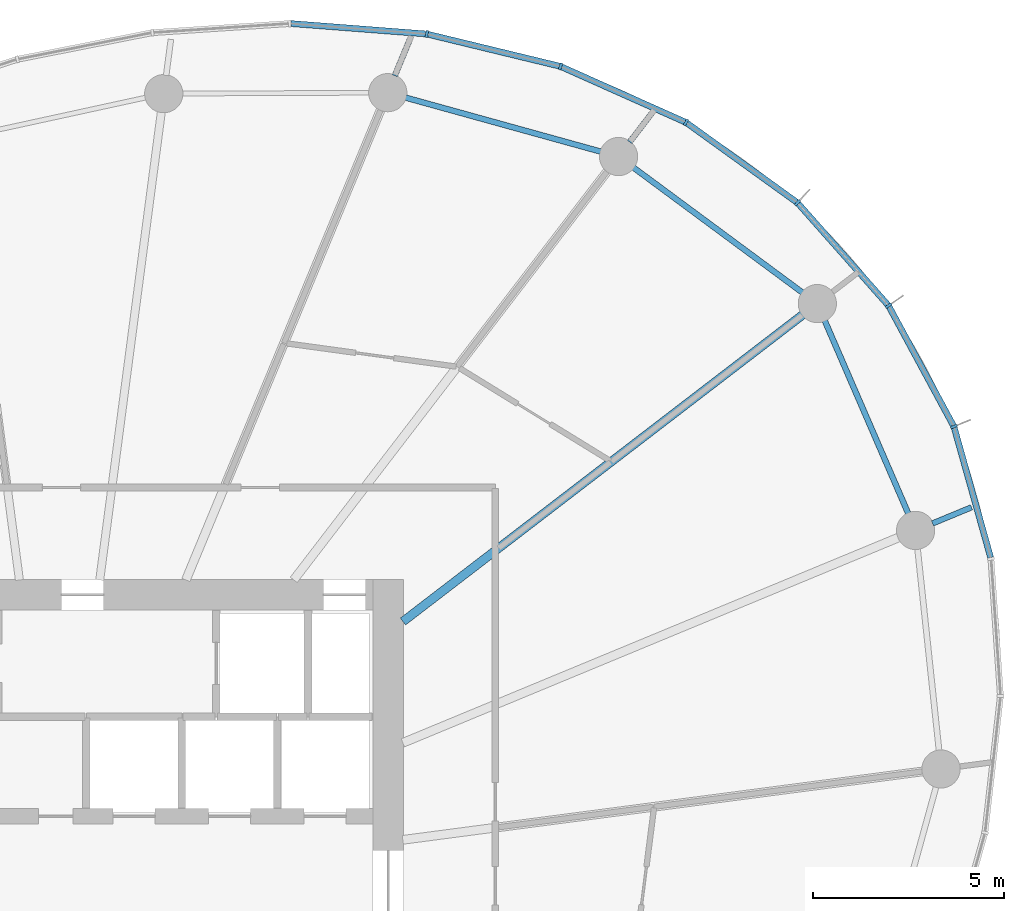
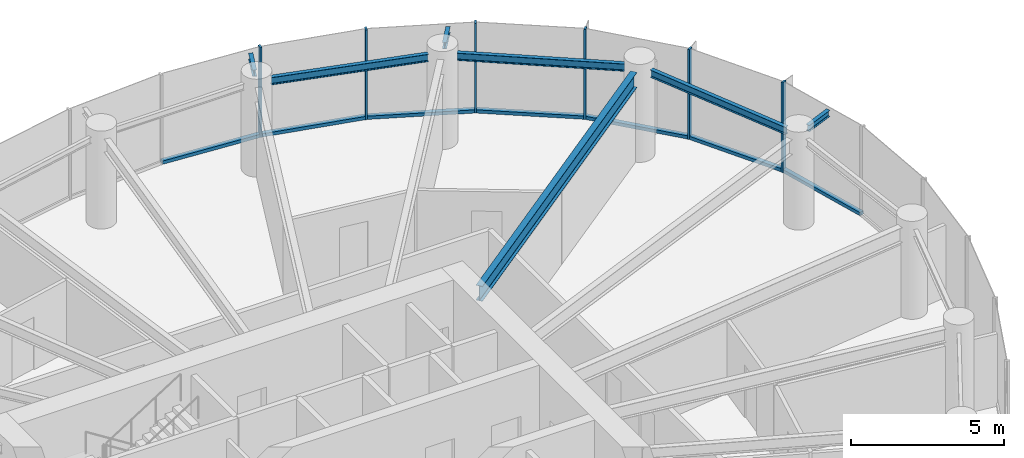
# One storey, part 6 of 15: 13 members, 7 beams, 2 elements without a shape of their own.
"""IFC4 building model written with IfcOpenShell, lengths in metres."""

import ifcopenshell
import ifcopenshell.guid

model = None  # the IFC model being written
_history = None  # IfcOwnerHistory: only IFC2X3 demands one
_inside = {}  # id of a spatial element -> (the spatial element, [elements in it])
_under = {}  # id of a project, library or spatial element -> (it, [spatial elements below it])
_declared = {}  # id of a project -> (the project, [libraries it declares])
_typed = {}  # id of a type object -> (the type object, [elements of that type])
_made_of = {}  # id of a material, layer set ... -> (it, [elements and type objects made of it])


def new_model(schema):
    """Start an empty IFC model of exactly this schema.

    Asked for "IFC4X3", IfcOpenShell would pick the latest addendum, in which some entities
    have other attributes; the version numbers below select the first issue.
    IFC2X3 requires an IfcOwnerHistory on every rooted entity: one is made here for all.
    """
    global model, _history
    if schema == "IFC4X3":
        model = ifcopenshell.file(schema_version=(4, 3, 0, 0))
    else:
        model = ifcopenshell.file(schema=schema)
    _inside.clear()
    _under.clear()
    _declared.clear()
    _typed.clear()
    _made_of.clear()
    _history = None
    if model.schema == "IFC2X3":
        org = make("IfcOrganization", Name="unknown")
        user = make(
            "IfcPersonAndOrganization",
            ThePerson=make("IfcPerson", FamilyName="unknown"),
            TheOrganization=org,
        )
        app = make(
            "IfcApplication",
            ApplicationDeveloper=org,
            Version="unknown",
            ApplicationFullName="unknown",
            ApplicationIdentifier="unknown",
        )
        _history = make(
            "IfcOwnerHistory",
            OwningUser=user,
            OwningApplication=app,
            ChangeAction="ADDED",
            CreationDate=0,
        )
    return model


def make(cls, **values):
    """One entity of the class cls with the attributes given. An attribute that is None is left unset."""
    return model.create_entity(
        cls, **{name: value for name, value in values.items() if value is not None}
    )


def rooted(cls, **values):
    """An entity with a GlobalId (a new one), such as an element, a storey or a relation."""
    return make(cls, GlobalId=ifcopenshell.guid.new(), OwnerHistory=_history, **values)


def si_unit(unit_type, name, prefix=None):
    """IfcSIUnit, for example si_unit("LENGTHUNIT", "METRE", prefix="MILLI")."""
    return make("IfcSIUnit", UnitType=unit_type, Prefix=prefix, Name=name)


def assignment(units):
    """IfcUnitAssignment: the units of a project."""
    return None if units is None else make("IfcUnitAssignment", Units=units)


def point(xyz):
    """IfcCartesianPoint."""
    return None if xyz is None else make("IfcCartesianPoint", Coordinates=xyz)


def direction(xyz):
    """IfcDirection."""
    return None if xyz is None else make("IfcDirection", DirectionRatios=xyz)


def frame(location, z_axis=None, x_axis=None):
    """IfcAxis2Placement3D, a coordinate frame: its origin and axes. An axis left out is left unset."""
    return make(
        "IfcAxis2Placement3D",
        Location=point(location),
        Axis=direction(z_axis),
        RefDirection=direction(x_axis),
    )


def frame_2d(location, x_axis=None):
    """IfcAxis2Placement2D, a coordinate frame in the plane: its origin and x axis."""
    return make(
        "IfcAxis2Placement2D", Location=point(location), RefDirection=direction(x_axis)
    )


def origin():
    """The frame at (0, 0, 0) with its axes left unset."""
    return frame((0.0, 0.0, 0.0))


def origin_2d():
    """The frame at (0, 0) in the plane with its x axis left unset."""
    return frame_2d((0.0, 0.0))


def place(relative_to, where):
    """IfcLocalPlacement: puts the frame where relative to a parent placement (None: the world)."""
    return make(
        "IfcLocalPlacement", PlacementRelTo=relative_to, RelativePlacement=where
    )


def context(
    kind, dimensions, precision=None, world=None, true_north=None, identifier=None
):
    """IfcGeometricRepresentationContext, for example the 3D "Model" context."""
    return make(
        "IfcGeometricRepresentationContext",
        ContextIdentifier=identifier,
        ContextType=kind,
        CoordinateSpaceDimension=dimensions,
        Precision=precision,
        WorldCoordinateSystem=world,
        TrueNorth=true_north,
    )


def subcontext(parent, identifier, kind, view, scale=None):
    """IfcGeometricRepresentationSubContext, for example "Body" below "Model"."""
    return make(
        "IfcGeometricRepresentationSubContext",
        ContextIdentifier=identifier,
        ContextType=kind,
        ParentContext=parent,
        TargetScale=scale,
        TargetView=view,
    )


def project(units=None, contexts=None):
    """IfcProject with its units and contexts."""
    return rooted(
        "IfcProject",
        Name="project",
        RepresentationContexts=contexts,
        UnitsInContext=assignment(units),
    )


def spatial(cls, under=None, at=None, **own):
    """A site, building, storey or space (cls), placed at a placement, below another one or the project."""
    s = rooted(cls, ObjectPlacement=at, **own)
    if under is not None:
        _under.setdefault(under.id(), (under, []))[1].append(s)
    return s


def profile(cls, at=None, kind="AREA", **sizes):
    """A parametric profile (cls). Its sizes go by their IFC names, for example OverallWidth=200.0."""
    return make(cls, ProfileType=kind, Position=at, **sizes)


def rectangle(**sizes):
    """IfcRectangleProfileDef."""
    return profile("IfcRectangleProfileDef", **sizes)


def i_section(**sizes):
    """IfcIShapeProfileDef."""
    return profile("IfcIShapeProfileDef", **sizes)


def extrude(swept, where, along, depth):
    """IfcExtrudedAreaSolid: the profile swept, set in the frame where, extruded along a direction by depth."""
    return make(
        "IfcExtrudedAreaSolid",
        SweptArea=swept,
        Position=where,
        ExtrudedDirection=direction(along),
        Depth=depth,
    )


def shape(context_of_items, identifier, shape_type, items):
    """IfcShapeRepresentation: the items that make up one representation, for example the "Body"."""
    return make(
        "IfcShapeRepresentation",
        ContextOfItems=context_of_items,
        RepresentationIdentifier=identifier,
        RepresentationType=shape_type,
        Items=items,
    )


def source(mapping_origin, context_of_items, identifier, shape_type, items):
    """IfcRepresentationMap: a shape defined once, which mapped items show again and again."""
    return make(
        "IfcRepresentationMap",
        MappingOrigin=mapping_origin,
        MappedRepresentation=shape(context_of_items, identifier, shape_type, items),
    )


def transform(
    local_origin,
    x_axis=None,
    y_axis=None,
    z_axis=None,
    scale=None,
    scale2=None,
    scale3=None,
    uniform=True,
):
    """IfcCartesianTransformationOperator3D, or its non-uniform kind. x_axis, y_axis, z_axis: its Axis1, 2, 3."""
    if uniform:
        return make(
            "IfcCartesianTransformationOperator3D",
            Axis1=direction(x_axis),
            Axis2=direction(y_axis),
            LocalOrigin=point(local_origin),
            Scale=scale,
            Axis3=direction(z_axis),
        )
    return make(
        "IfcCartesianTransformationOperator3DnonUniform",
        Axis1=direction(x_axis),
        Axis2=direction(y_axis),
        LocalOrigin=point(local_origin),
        Scale=scale,
        Axis3=direction(z_axis),
        Scale2=scale2,
        Scale3=scale3,
    )


def mapped(mapping_source, mapping_target):
    """IfcMappedItem: shows the shape of a source again, moved by a transform."""
    return make(
        "IfcMappedItem", MappingSource=mapping_source, MappingTarget=mapping_target
    )


def material(Name=None, Category=None):
    """IfcMaterial."""
    return make("IfcMaterial", Name=Name, Category=Category)


def layer(
    of_material, thickness, ventilated=None, Name=None, Category=None, Priority=None
):
    """IfcMaterialLayer: one layer of a wall or slab, of a material (None: an air gap)."""
    return make(
        "IfcMaterialLayer",
        Material=of_material,
        LayerThickness=thickness,
        IsVentilated=ventilated,
        Name=Name,
        Category=Category,
        Priority=Priority,
    )


def layer_set(layers, Name=None):
    """IfcMaterialLayerSet."""
    return make("IfcMaterialLayerSet", MaterialLayers=layers, LayerSetName=Name)


def material_profile(
    of_material, cross_section, Name=None, Category=None, Priority=None
):
    """IfcMaterialProfile: a cross section and its material."""
    return make(
        "IfcMaterialProfile",
        Name=Name,
        Material=of_material,
        Profile=cross_section,
        Priority=Priority,
        Category=Category,
    )


def profile_set(profiles, Name=None, composite=None):
    """IfcMaterialProfileSet."""
    return make(
        "IfcMaterialProfileSet",
        Name=Name,
        MaterialProfiles=profiles,
        CompositeProfile=composite,
    )


def made_of(thing, what):
    """Note that an element or type object is made of a material, layer set ...; save() writes the relation."""
    if what is not None:
        _made_of.setdefault(what.id(), (what, []))[1].append(thing)
    return thing


def type_object(cls, material=None, **own):
    """A type object (cls), such as IfcWallType, which elements share."""
    return made_of(rooted(cls, **own), material)


def element(
    cls,
    number,
    at=None,
    inside=None,
    cuts=None,
    type_object=None,
    material=None,
    context=None,
    identifier="Body",
    shape_type=None,
    held_by="IfcProductDefinitionShape",
    body=None,
    shapes=None,
    **own,
):
    """One element of the class cls, such as IfcWall. Its Tag is "e" and its number.

    at: its placement. inside: the storey or other place that contains it. cuts: it is an
    opening in that element (IfcRelVoidsElement). A single representation is given by context,
    identifier, shape_type and body (its items); several are given by shapes. held_by: the class
    of the entity that holds the representations. save() writes the other relations.
    """
    e = rooted(cls, Tag="e%d" % number, ObjectPlacement=at, **own)
    if body is not None:
        shapes = [shape(context, identifier, shape_type, body)]
    if shapes is not None:
        e.Representation = make(held_by, Representations=shapes)
    if inside is not None:
        _inside.setdefault(inside.id(), (inside, []))[1].append(e)
    if cuts is not None:
        rooted(
            "IfcRelVoidsElement", RelatingBuildingElement=cuts, RelatedOpeningElement=e
        )
    if type_object is not None:
        _typed.setdefault(type_object.id(), (type_object, []))[1].append(e)
    return made_of(e, material)


def aggregate(whole, parts):
    """IfcRelAggregates: a whole, such as a stair, and the parts it consists of."""
    return rooted("IfcRelAggregates", RelatingObject=whole, RelatedObjects=parts)


def save(model, path):
    """Write the relations noted so far, then the file.

    IfcRelAggregates (storeys below a building ...), IfcRelContainedInSpatialStructure (elements
    in a storey), IfcRelDefinesByType, IfcRelAssociatesMaterial and IfcRelDeclares: one each for
    every whole, place, type object, material and project.
    """
    for whole, parts in _under.values():
        aggregate(whole, parts)
    for where, things in _inside.values():
        rooted(
            "IfcRelContainedInSpatialStructure",
            RelatedElements=things,
            RelatingStructure=where,
        )
    for kind, things in _typed.values():
        rooted("IfcRelDefinesByType", RelatedObjects=things, RelatingType=kind)
    for what, things in _made_of.values():
        rooted("IfcRelAssociatesMaterial", RelatedObjects=things, RelatingMaterial=what)
    for by, libraries in _declared.values():
        rooted("IfcRelDeclares", RelatingContext=by, RelatedDefinitions=libraries)
    model.write(path)


model = new_model("IFC4")

# Units and contexts
model_context = context("Model", 3, precision=1e-05, world=origin(), true_north=direction((0.0, 1.0)))
body_context = subcontext(model_context, "Body", "Model", "MODEL_VIEW")
ifc_project = project(units=[si_unit("LENGTHUNIT", "METRE"), si_unit("AREAUNIT", "SQUARE_METRE"), si_unit("VOLUMEUNIT", "CUBIC_METRE"), si_unit("PLANEANGLEUNIT", "RADIAN"), si_unit("MASSUNIT", "GRAM", prefix="KILO")], contexts=[model_context])

# Site, building, storey
site_placement = place(None, origin())
site = spatial("IfcSite", under=ifc_project, at=site_placement, CompositionType="ELEMENT")
building_placement = place(site_placement, origin())
building = spatial("IfcBuilding", under=site, at=building_placement, Name="Spindrift Exchange Tower", CompositionType="ELEMENT")
storey_placement = place(building_placement, frame((0.0, 0.0, 172.10009765625)))
storey = spatial("IfcBuildingStorey", under=building, at=storey_placement, Name="L41", CompositionType="ELEMENT", Elevation=172.10009765625)

# Beams
ifc_material_1 = material(Name="Steel Grade 300", Category="steel")
ifc_material_profile_1 = material_profile(ifc_material_1, i_section(OverallWidth=0.14599609375, OverallDepth=0.251953125, WebThickness=0.006103515625, FlangeThickness=0.008544921875, FilletRadius=0.011962890625, at=origin_2d()), Name="250UB31.4")
ifc_profile_set_1 = profile_set([ifc_material_profile_1], Name="Steel Grade 300")
beam_type_1 = type_object("IfcBeamType", Name="Cantilever Beam 250UB31.4 Steel Grade 300", PredefinedType="BEAM", material=ifc_profile_set_1)
shared_shape_1 = source(origin(), body_context, "Body", "SweptSolid", [
    extrude(i_section(OverallWidth=0.14599609375, OverallDepth=0.251953125, WebThickness=0.006103515625, FlangeThickness=0.008544921875, FilletRadius=0.011962890625, at=origin_2d()), origin(), (0.0, 0.0, 1.0), 0.92138671875),
])
beam_1_placement = place(storey_placement, frame((66.9169921875, 67.440185546875, 3.453857421875), z_axis=(0.60869854627, 0.793401587955, 0.0), x_axis=(-0.793401587955, 0.60869854627, 0.0)))
element("IfcBeam", 1, at=beam_1_placement, inside=storey, type_object=beam_type_1, Name="L41 cantilever beam R04T", PredefinedType="BEAM", context=body_context, shape_type="MappedRepresentation", body=[
    mapped(shared_shape_1, transform((0.0, 0.0, 0.0), scale=1.0)),
])
ifc_material_profile_2 = material_profile(ifc_material_1, i_section(OverallWidth=0.14892578125, OverallDepth=0.298095703125, WebThickness=0.005615234375, FlangeThickness=0.008056640625, FilletRadius=0.012939453125, at=origin_2d()), Name="310UB32.0")
ifc_profile_set_2 = profile_set([ifc_material_profile_2], Name="Steel Grade 300")
beam_type_2 = type_object("IfcBeamType", Name="Edge Beam 310UB32.0 Steel Grade 300", PredefinedType="SPANDREL", material=ifc_profile_set_2)
shared_shape_2 = source(origin(), body_context, "Body", "SweptSolid", [
    extrude(i_section(OverallWidth=0.14892578125, OverallDepth=0.298095703125, WebThickness=0.005615234375, FlangeThickness=0.008056640625, FilletRadius=0.012939453125, at=origin_2d()), origin(), (0.0, 0.0, 1.0), 5.508544921875),
])
beam_2_placement = place(storey_placement, frame((74.205810546875, 57.717529296875, 3.430908203125), z_axis=(-0.397414644433, 0.917639144975, 0.0), x_axis=(-0.917639144975, -0.397414644433, 0.0)))
element("IfcBeam", 2, at=beam_2_placement, inside=storey, type_object=beam_type_2, Name="L41 edge beam E02", PredefinedType="SPANDREL", context=body_context, shape_type="MappedRepresentation", body=[
    mapped(shared_shape_2, transform((0.0, 0.0, 0.0), scale=1.0)),
])
shared_shape_3 = source(origin(), body_context, "Body", "SweptSolid", [
    extrude(i_section(OverallWidth=0.14892578125, OverallDepth=0.298095703125, WebThickness=0.005615234375, FlangeThickness=0.008056640625, FilletRadius=0.012939453125, at=origin_2d()), origin(), (0.0, 0.0, 1.0), 5.509033203125),
])
beam_3_placement = place(storey_placement, frame((71.43994140625, 63.498291015625, 3.430908203125), z_axis=(-0.803991901791, 0.594640245741, 0.0), x_axis=(-0.594640245741, -0.803991901791, 0.0)))
element("IfcBeam", 3, at=beam_3_placement, inside=storey, type_object=beam_type_2, Name="L41 edge beam E03", PredefinedType="SPANDREL", context=body_context, shape_type="MappedRepresentation", body=[
    mapped(shared_shape_3, transform((0.0, 0.0, 0.0), scale=1.0)),
])
shared_shape_4 = source(origin(), body_context, "Body", "SweptSolid", [
    extrude(i_section(OverallWidth=0.14892578125, OverallDepth=0.298095703125, WebThickness=0.005615234375, FlangeThickness=0.008056640625, FilletRadius=0.012939453125, at=origin_2d()), origin(), (0.0, 0.0, 1.0), 5.30517578125),
])
beam_4_placement = place(storey_placement, frame((66.162353515625, 67.1875, 3.430908203125), z_axis=(-0.963757513624, 0.26677978734, 0.0), x_axis=(-0.26677978734, -0.963757513624, 0.0)))
element("IfcBeam", 4, at=beam_4_placement, inside=storey, type_object=beam_type_2, Name="L41 edge beam E04", PredefinedType="SPANDREL", context=body_context, shape_type="MappedRepresentation", body=[
    mapped(shared_shape_4, transform((0.0, 0.0, 0.0), scale=1.0)),
])
ifc_material_profile_3 = material_profile(ifc_material_1, i_section(OverallWidth=0.22802734375, OverallDepth=0.60205078125, WebThickness=0.010498046875, FlangeThickness=0.014892578125, FilletRadius=0.013916015625, at=origin_2d()), Name="610UB101")
ifc_profile_set_3 = profile_set([ifc_material_profile_3], Name="Steel Grade 300")
beam_type_3 = type_object("IfcBeamType", Name="Floor Beam 610UB101 Steel Grade 300", PredefinedType="BEAM", material=ifc_profile_set_3)
shared_shape_5 = source(origin(), body_context, "Body", "SweptSolid", [
    extrude(i_section(OverallWidth=0.22802734375, OverallDepth=0.60205078125, WebThickness=0.010498046875, FlangeThickness=0.014892578125, FilletRadius=0.013916015625, at=origin_2d()), origin(), (0.0, 0.0, 1.0), 13.185546875),
])
beam_5_placement = place(storey_placement, frame((60.984130859375, 54.893798828125, 3.27880859375), z_axis=(0.793357156703, 0.608756455332, 0.0), x_axis=(-0.608756455332, 0.793357156703, 0.0)))
element("IfcBeam", 5, at=beam_5_placement, inside=storey, type_object=beam_type_3, Name="L41 radial beam R03A", PredefinedType="BEAM", context=body_context, shape_type="MappedRepresentation", body=[
    mapped(shared_shape_5, transform((0.0, 0.0, 0.0), scale=1.0)),
])
shared_shape_6 = source(origin(), body_context, "Body", "SweptSolid", [
    extrude(i_section(OverallWidth=0.14599609375, OverallDepth=0.251953125, WebThickness=0.006103515625, FlangeThickness=0.008544921875, FilletRadius=0.011962890625, at=origin_2d()), origin(), (0.0, 0.0, 1.0), 1.1044921875),
])
beam_6_placement = place(storey_placement, frame((74.840087890625, 57.460693359375, 3.453857421875), z_axis=(0.923911779543, 0.382605571864, 0.0), x_axis=(-0.382605571864, 0.923911779543, 0.0)))
element("IfcBeam", 6, at=beam_6_placement, inside=storey, type_object=beam_type_1, Name="L41 cantilever beam R02T", PredefinedType="BEAM", context=body_context, shape_type="MappedRepresentation", body=[
    mapped(shared_shape_6, transform((0.0, 0.0, 0.0), scale=1.0)),
])
shared_shape_7 = source(origin(), body_context, "Body", "SweptSolid", [
    extrude(i_section(OverallWidth=0.14599609375, OverallDepth=0.251953125, WebThickness=0.006103515625, FlangeThickness=0.008544921875, FilletRadius=0.011962890625, at=origin_2d()), origin(), (0.0, 0.0, 1.0), 0.99267578125),
])
beam_7_placement = place(storey_placement, frame((60.770751953125, 69.17431640625, 3.453857421875), z_axis=(0.382728331332, 0.923860933472, 0.0), x_axis=(-0.923860933472, 0.382728331332, 0.0)))
element("IfcBeam", 7, at=beam_7_placement, inside=storey, type_object=beam_type_1, Name="L41 cantilever beam R05T", PredefinedType="BEAM", context=body_context, shape_type="MappedRepresentation", body=[
    mapped(shared_shape_7, transform((0.0, 0.0, 0.0), scale=1.0)),
])

# Curtain wall, members
ifc_material_2 = material(Name="Fritted laminated glass with bronze frame", Category="glass")
ifc_layer = layer(ifc_material_2, 0.179931640625)
ifc_layer_set = layer_set([ifc_layer], Name="ZONE 3 BRONZE FRITTED WALL")
curtain_wall_type = type_object("IfcCurtainWallType", Name="ZONE 3 BRONZE FRITTED WALL", PredefinedType="NOTDEFINED", material=ifc_layer_set)
curtain_wall_1_placement = place(storey_placement, origin())
curtain_wall_1 = element("IfcCurtainWall", 8, at=curtain_wall_1_placement, inside=storey, type_object=curtain_wall_type, Name="L41 Zone 3 Bronze Fritted Wall run 1", PredefinedType="NOTDEFINED")
ifc_material_3 = material(Name="Bronze anodised aluminium", Category="aluminium")
ifc_material_profile_4 = material_profile(ifc_material_3, rectangle(XDim=0.070068359375, YDim=0.179931640625, at=origin_2d()), Name="ZONE 3 BRONZE FRITTED WALL MULLION 70X180")
ifc_profile_set_4 = profile_set([ifc_material_profile_4], Name="Bronze anodised aluminium")
member_type_1 = type_object("IfcMemberType", Name="ZONE 3 BRONZE FRITTED WALL MULLION 70X180", PredefinedType="MULLION", material=ifc_profile_set_4)
shared_shape_8 = source(origin(), body_context, "Body", "SweptSolid", [
    extrude(rectangle(XDim=0.070068359375, YDim=0.179931640625, at=origin_2d()), origin(), (0.0, 0.0, 1.0), 3.579833984375),
])
member_1_placement = place(storey_placement, frame((73.689697265625, 63.158203125, 0.0), z_axis=(0.0, 0.0, 1.0), x_axis=(-0.572837681891, 0.819668829592, 0.0)))
member_1 = element("IfcMember", 9, at=member_1_placement, type_object=member_type_1, Name="L41 mullion CW-3.1", PredefinedType="MULLION", context=body_context, shape_type="MappedRepresentation", body=[
    mapped(shared_shape_8, transform((0.0, 0.0, 0.0), scale=1.0)),
])
member_2_placement = place(storey_placement, frame((71.307373046875, 65.850341796875, 0.0), z_axis=(0.0, 0.0, 1.0), x_axis=(-0.741568278552, 0.6708774018, 0.0)))
member_2 = element("IfcMember", 10, at=member_2_placement, type_object=member_type_1, Name="L41 mullion CW-3.2", PredefinedType="MULLION", context=body_context, shape_type="MappedRepresentation", body=[
    mapped(shared_shape_8, transform((0.0, 0.0, 0.0), scale=1.0)),
])
member_3_placement = place(storey_placement, frame((68.39013671875, 67.952392578125, 0.0), z_axis=(0.0, 0.0, 1.0), x_axis=(-0.866734768855, 0.4987693259, 0.0)))
member_3 = element("IfcMember", 11, at=member_3_placement, type_object=member_type_1, Name="L41 mullion CW-3.3", PredefinedType="MULLION", context=body_context, shape_type="MappedRepresentation", body=[
    mapped(shared_shape_8, transform((0.0, 0.0, 0.0), scale=1.0)),
])
member_4_placement = place(storey_placement, frame((65.105712890625, 69.4189453125, 0.0), z_axis=(0.0, 0.0, 1.0), x_axis=(-0.946426134121, 0.322920381289, 0.0)))
member_4 = element("IfcMember", 12, at=member_4_placement, type_object=member_type_1, Name="L41 mullion CW-3.4", PredefinedType="MULLION", context=body_context, shape_type="MappedRepresentation", body=[
    mapped(shared_shape_8, transform((0.0, 0.0, 0.0), scale=1.0)),
])
member_5_placement = place(storey_placement, frame((61.60888671875, 70.26611328125, 0.0), z_axis=(0.0, 0.0, 1.0), x_axis=(-0.987672476724, 0.156534592734, 0.0)))
member_5 = element("IfcMember", 13, at=member_5_placement, type_object=member_type_1, Name="L41 mullion CW-3.5", PredefinedType="MULLION", context=body_context, shape_type="MappedRepresentation", body=[
    mapped(shared_shape_8, transform((0.0, 0.0, 0.0), scale=1.0)),
])

# Curtain wall, member
curtain_wall_2_placement = place(storey_placement, origin())
curtain_wall_2 = element("IfcCurtainWall", 14, at=curtain_wall_2_placement, inside=storey, type_object=curtain_wall_type, Name="L41 Zone 3 Bronze Fritted Wall run 7", PredefinedType="NOTDEFINED")
member_6_placement = place(storey_placement, frame((75.39892578125, 59.995849609375, 0.0), z_axis=(0.0, 0.0, 1.0), x_axis=(-0.375124264738, 0.926974533633, 0.0)))
member_6 = element("IfcMember", 15, at=member_6_placement, type_object=member_type_1, Name="L41 mullion CW-3.41", PredefinedType="MULLION", context=body_context, shape_type="MappedRepresentation", body=[
    mapped(shared_shape_8, transform((0.0, 0.0, 0.0), scale=1.0)),
])

# Member
ifc_material_profile_5 = material_profile(ifc_material_3, rectangle(XDim=0.159912109375, YDim=0.1298828125, at=origin_2d()), Name="ZONE 3 BRONZE FRITTED WALL TRANSOM 160X130")
ifc_profile_set_5 = profile_set([ifc_material_profile_5], Name="Bronze anodised aluminium")
member_type_2 = type_object("IfcMemberType", Name="ZONE 3 BRONZE FRITTED WALL TRANSOM 160X130", PredefinedType="USERDEFINED", material=ifc_profile_set_5)
shared_shape_9 = source(origin(), body_context, "Body", "SweptSolid", [
    extrude(rectangle(XDim=0.159912109375, YDim=0.1298828125, at=origin_2d()), origin(), (0.0, 0.0, 1.0), 3.529296875),
])
member_7_placement = place(storey_placement, frame((61.573974609375, 70.268798828125, 0.06494140625), z_axis=(-0.997058146714, 0.076648888265, 0.0), x_axis=(-0.076648888265, -0.997058146714, 0.0)))
member_7 = element("IfcMember", 16, at=member_7_placement, type_object=member_type_2, Name="L41 transom CW-3.5", ObjectType="TRANSOM", PredefinedType="USERDEFINED", context=body_context, shape_type="MappedRepresentation", body=[
    mapped(shared_shape_9, transform((0.0, 0.0, 0.0), scale=1.0)),
])

shared_shape_10 = source(origin(), body_context, "Body", "SweptSolid", [
    extrude(rectangle(XDim=0.159912109375, YDim=0.1298828125, at=origin_2d()), origin(), (0.0, 0.0, 1.0), 3.52490234375),
])
member_8_placement = place(storey_placement, frame((73.66650390625, 63.1845703125, 0.06494140625), z_axis=(-0.662711363024, 0.748874922346, 0.0), x_axis=(-0.748874922346, -0.662711363024, 0.0)))
member_8 = element("IfcMember", 17, at=member_8_placement, type_object=member_type_2, Name="L41 transom CW-3.1", ObjectType="TRANSOM", PredefinedType="USERDEFINED", context=body_context, shape_type="MappedRepresentation", body=[
    mapped(shared_shape_10, transform((0.0, 0.0, 0.0), scale=1.0)),
])

member_9_placement = place(storey_placement, frame((75.38232421875, 60.026611328125, 0.06494140625), z_axis=(-0.475495303664, 0.879718259554, 0.0), x_axis=(-0.879718259554, -0.475495303664, 0.0)))
member_9 = element("IfcMember", 18, at=member_9_placement, type_object=member_type_2, Name="L41 transom CW-3.41", ObjectType="TRANSOM", PredefinedType="USERDEFINED", context=body_context, shape_type="MappedRepresentation", body=[
    mapped(shared_shape_10, transform((0.0, 0.0, 0.0), scale=1.0)),
])

shared_shape_11 = source(origin(), body_context, "Body", "SweptSolid", [
    extrude(rectangle(XDim=0.159912109375, YDim=0.1298828125, at=origin_2d()), origin(), (0.0, 0.0, 1.0), 3.527099609375),
])
member_10_placement = place(storey_placement, frame((68.358154296875, 67.966552734375, 0.06494140625), z_axis=(-0.913082199694, 0.407775546842, 0.0), x_axis=(-0.407775546842, -0.913082199694, 0.0)))
member_10 = element("IfcMember", 19, at=member_10_placement, type_object=member_type_2, Name="L41 transom CW-3.3", ObjectType="TRANSOM", PredefinedType="USERDEFINED", context=body_context, shape_type="MappedRepresentation", body=[
    mapped(shared_shape_11, transform((0.0, 0.0, 0.0), scale=1.0)),
])

shared_shape_12 = source(origin(), body_context, "Body", "SweptSolid", [
    extrude(rectangle(XDim=0.159912109375, YDim=0.1298828125, at=origin_2d()), origin(), (0.0, 0.0, 1.0), 3.528076171875),
])
member_11_placement = place(storey_placement, frame((65.07177734375, 69.42724609375, 0.06494140625), z_axis=(-0.971895220029, 0.235413851089, 0.0), x_axis=(-0.235413851089, -0.971895220029, 0.0)))
member_11 = element("IfcMember", 20, at=member_11_placement, type_object=member_type_2, Name="L41 transom CW-3.4", ObjectType="TRANSOM", PredefinedType="USERDEFINED", context=body_context, shape_type="MappedRepresentation", body=[
    mapped(shared_shape_12, transform((0.0, 0.0, 0.0), scale=1.0)),
])

shared_shape_13 = source(origin(), body_context, "Body", "SweptSolid", [
    extrude(rectangle(XDim=0.159912109375, YDim=0.1298828125, at=origin_2d()), origin(), (0.0, 0.0, 1.0), 3.525634765625),
])
member_12_placement = place(storey_placement, frame((71.279052734375, 65.870849609375, 0.06494140625), z_axis=(-0.811321505619, 0.584600217688, 0.0), x_axis=(-0.584600217688, -0.811321505619, 0.0)))
member_12 = element("IfcMember", 21, at=member_12_placement, type_object=member_type_2, Name="L41 transom CW-3.2", ObjectType="TRANSOM", PredefinedType="USERDEFINED", context=body_context, shape_type="MappedRepresentation", body=[
    mapped(shared_shape_13, transform((0.0, 0.0, 0.0), scale=1.0)),
])

aggregate(curtain_wall_1, [member_1, member_8, member_2, member_12, member_3, member_10, member_4, member_11, member_5, member_7])

member_13_placement = place(storey_placement, frame((76.36083984375, 56.567626953125, 0.06494140625), z_axis=(-0.270135890813, 0.962822206066, 0.0), x_axis=(-0.962822206066, -0.270135890813, 0.0)))
member_13 = element("IfcMember", 22, at=member_13_placement, type_object=member_type_2, Name="L41 transom CW-3.40", ObjectType="TRANSOM", PredefinedType="USERDEFINED", context=body_context, shape_type="MappedRepresentation", body=[
    mapped(shared_shape_13, transform((0.0, 0.0, 0.0), scale=1.0)),
])

aggregate(curtain_wall_2, [member_13, member_6, member_9])

save(model, "model.ifc")
